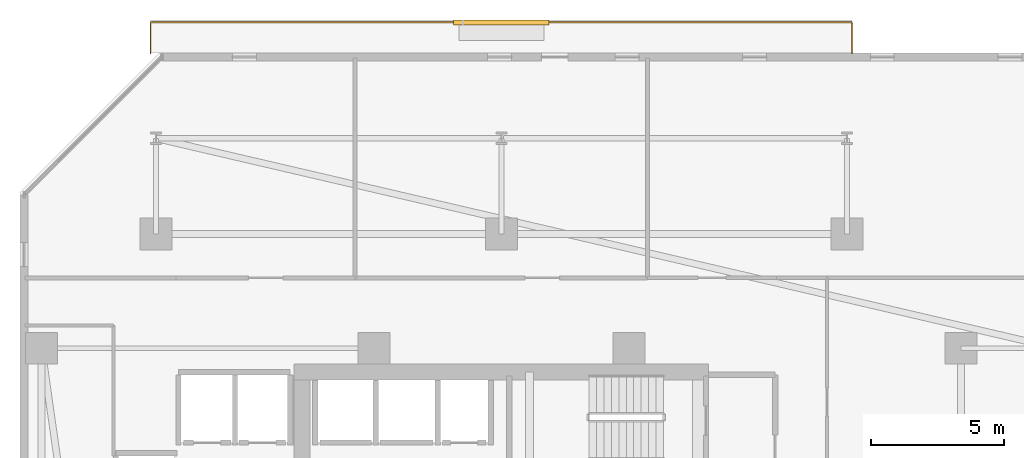
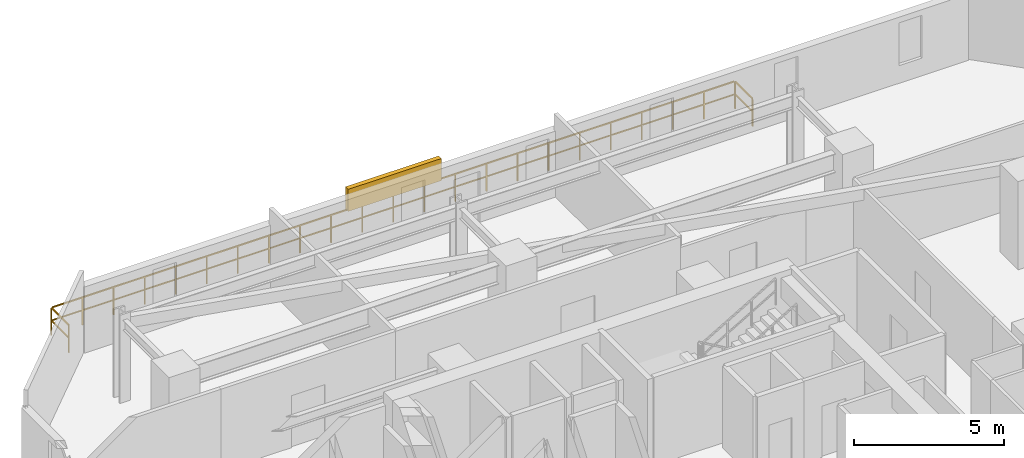
# One storey, part 29 of 31: 1 railing, 1 shading device.
"""IFC4 building model written with IfcOpenShell, lengths in metres."""

from ifc_helpers import new_model, si_unit, direction, frame, origin, origin_2d, place, context, subcontext, project, spatial, rectangle, extrude, material, type_object, element, save


model = new_model("IFC4")

# Units and contexts
model_context = context("Model", 3, precision=1e-05, world=origin(), true_north=direction((0.0, 1.0)))
body_context = subcontext(model_context, "Body", "Model", "MODEL_VIEW")
ifc_project = project(units=[si_unit("LENGTHUNIT", "METRE"), si_unit("AREAUNIT", "SQUARE_METRE"), si_unit("VOLUMEUNIT", "CUBIC_METRE"), si_unit("PLANEANGLEUNIT", "RADIAN"), si_unit("MASSUNIT", "GRAM", prefix="KILO")], contexts=[model_context])

# Site, building, storey
site_placement = place(None, origin())
site = spatial("IfcSite", under=ifc_project, at=site_placement, CompositionType="ELEMENT")
building_placement = place(site_placement, origin())
building = spatial("IfcBuilding", under=site, at=building_placement, Name="Thornwick Lancets Civic Towers", CompositionType="ELEMENT")
storey_placement = place(building_placement, frame((0.0, 0.0, 87.300048828125)))
storey = spatial("IfcBuildingStorey", under=building, at=storey_placement, Name="L22", CompositionType="ELEMENT", Elevation=87.300048828125)

# Railing
ifc_material_1 = material(Name="Terracotta-capped laminated glass balustrade S355", Category="masonry")
railing_type = type_object("IfcRailingType", Name="RAIL_TERR_GUARD", PredefinedType="GUARDRAIL", material=ifc_material_1)
railing_placement = place(storey_placement, frame((12.300048828125, 51.10009765625, 0.0)))
element("IfcRailing", 1, at=railing_placement, inside=storey, type_object=railing_type, Name="L22 Tower A Balcony Guard N", PredefinedType="GUARDRAIL", context=body_context, shape_type="SweptSolid", body=[
    extrude(rectangle(XDim=0.048095703125, YDim=0.048095703125, at=origin_2d()), frame((0.0, 0.0, 1.1259765625), z_axis=(0.0, 1.0, 0.0), x_axis=(-1.0, 0.0, 0.0)), (0.0, 0.0, 1.0), 1.138671875),
    extrude(rectangle(XDim=0.0419921875, YDim=0.0419921875, at=origin_2d()), frame((0.0, 0.03759765625, 0.597900390625), z_axis=(0.0, 1.0, 0.0), x_axis=(-1.0, 0.0, 0.0)), (0.0, 0.0, 1.0), 1.094970703125),
    extrude(rectangle(XDim=0.048095703125, YDim=0.048095703125, at=origin_2d()), frame((0.03125, 1.169921875, 1.1259765625), z_axis=(1.0, 0.0, 0.0), x_axis=(0.0, 1.0, 0.0)), (0.0, 0.0, 1.0), 26.33740234375),
    extrude(rectangle(XDim=0.0419921875, YDim=0.0419921875, at=origin_2d()), frame((0.03759765625, 1.169921875, 0.597900390625), z_axis=(1.0, 0.0, 0.0), x_axis=(0.0, 1.0, 0.0)), (0.0, 0.0, 1.0), 1.125),
    extrude(rectangle(XDim=0.0419921875, YDim=0.0419921875, at=origin_2d()), frame((1.237548828125, 1.169921875, 0.597900390625), z_axis=(1.0, 0.0, 0.0), x_axis=(0.0, 1.0, 0.0)), (0.0, 0.0, 1.0), 1.125),
    extrude(rectangle(XDim=0.0419921875, YDim=0.0419921875, at=origin_2d()), frame((2.4375, 1.169921875, 0.597900390625), z_axis=(1.0, 0.0, 0.0), x_axis=(0.0, 1.0, 0.0)), (0.0, 0.0, 1.0), 1.125),
    extrude(rectangle(XDim=0.0419921875, YDim=0.0419921875, at=origin_2d()), frame((3.637451171875, 1.169921875, 0.597900390625), z_axis=(1.0, 0.0, 0.0), x_axis=(0.0, 1.0, 0.0)), (0.0, 0.0, 1.0), 1.125),
    extrude(rectangle(XDim=0.0419921875, YDim=0.0419921875, at=origin_2d()), frame((4.83740234375, 1.169921875, 0.597900390625), z_axis=(1.0, 0.0, 0.0), x_axis=(0.0, 1.0, 0.0)), (0.0, 0.0, 1.0), 1.125),
    extrude(rectangle(XDim=0.0419921875, YDim=0.0419921875, at=origin_2d()), frame((6.037353515625, 1.169921875, 0.597900390625), z_axis=(1.0, 0.0, 0.0), x_axis=(0.0, 1.0, 0.0)), (0.0, 0.0, 1.0), 1.125),
    extrude(rectangle(XDim=0.0419921875, YDim=0.0419921875, at=origin_2d()), frame((7.237548828125, 1.169921875, 0.597900390625), z_axis=(1.0, 0.0, 0.0), x_axis=(0.0, 1.0, 0.0)), (0.0, 0.0, 1.0), 1.125),
    extrude(rectangle(XDim=0.0419921875, YDim=0.0419921875, at=origin_2d()), frame((8.4375, 1.169921875, 0.597900390625), z_axis=(1.0, 0.0, 0.0), x_axis=(0.0, 1.0, 0.0)), (0.0, 0.0, 1.0), 1.125),
    extrude(rectangle(XDim=0.0419921875, YDim=0.0419921875, at=origin_2d()), frame((9.637451171875, 1.169921875, 0.597900390625), z_axis=(1.0, 0.0, 0.0), x_axis=(0.0, 1.0, 0.0)), (0.0, 0.0, 1.0), 1.125),
    extrude(rectangle(XDim=0.0419921875, YDim=0.0419921875, at=origin_2d()), frame((10.83740234375, 1.169921875, 0.597900390625), z_axis=(1.0, 0.0, 0.0), x_axis=(0.0, 1.0, 0.0)), (0.0, 0.0, 1.0), 1.125),
    extrude(rectangle(XDim=0.0419921875, YDim=0.0419921875, at=origin_2d()), frame((12.037353515625, 1.169921875, 0.597900390625), z_axis=(1.0, 0.0, 0.0), x_axis=(0.0, 1.0, 0.0)), (0.0, 0.0, 1.0), 1.125),
    extrude(rectangle(XDim=0.0419921875, YDim=0.0419921875, at=origin_2d()), frame((13.237548828125, 1.169921875, 0.597900390625), z_axis=(1.0, 0.0, 0.0), x_axis=(0.0, 1.0, 0.0)), (0.0, 0.0, 1.0), 1.125),
    extrude(rectangle(XDim=0.0419921875, YDim=0.0419921875, at=origin_2d()), frame((14.4375, 1.169921875, 0.597900390625), z_axis=(1.0, 0.0, 0.0), x_axis=(0.0, 1.0, 0.0)), (0.0, 0.0, 1.0), 1.125),
    extrude(rectangle(XDim=0.0419921875, YDim=0.0419921875, at=origin_2d()), frame((15.637451171875, 1.169921875, 0.597900390625), z_axis=(1.0, 0.0, 0.0), x_axis=(0.0, 1.0, 0.0)), (0.0, 0.0, 1.0), 1.125),
    extrude(rectangle(XDim=0.0419921875, YDim=0.0419921875, at=origin_2d()), frame((16.83740234375, 1.169921875, 0.597900390625), z_axis=(1.0, 0.0, 0.0), x_axis=(0.0, 1.0, 0.0)), (0.0, 0.0, 1.0), 1.125),
    extrude(rectangle(XDim=0.0419921875, YDim=0.0419921875, at=origin_2d()), frame((18.037353515625, 1.169921875, 0.597900390625), z_axis=(1.0, 0.0, 0.0), x_axis=(0.0, 1.0, 0.0)), (0.0, 0.0, 1.0), 1.125),
    extrude(rectangle(XDim=0.0419921875, YDim=0.0419921875, at=origin_2d()), frame((19.2373046875, 1.169921875, 0.597900390625), z_axis=(1.0, 0.0, 0.0), x_axis=(0.0, 1.0, 0.0)), (0.0, 0.0, 1.0), 1.125),
    extrude(rectangle(XDim=0.0419921875, YDim=0.0419921875, at=origin_2d()), frame((20.4375, 1.169921875, 0.597900390625), z_axis=(1.0, 0.0, 0.0), x_axis=(0.0, 1.0, 0.0)), (0.0, 0.0, 1.0), 1.125),
    extrude(rectangle(XDim=0.0419921875, YDim=0.0419921875, at=origin_2d()), frame((21.637451171875, 1.169921875, 0.597900390625), z_axis=(1.0, 0.0, 0.0), x_axis=(0.0, 1.0, 0.0)), (0.0, 0.0, 1.0), 1.125),
    extrude(rectangle(XDim=0.0419921875, YDim=0.0419921875, at=origin_2d()), frame((22.83740234375, 1.169921875, 0.597900390625), z_axis=(1.0, 0.0, 0.0), x_axis=(0.0, 1.0, 0.0)), (0.0, 0.0, 1.0), 1.125),
    extrude(rectangle(XDim=0.0419921875, YDim=0.0419921875, at=origin_2d()), frame((24.037353515625, 1.169921875, 0.597900390625), z_axis=(1.0, 0.0, 0.0), x_axis=(0.0, 1.0, 0.0)), (0.0, 0.0, 1.0), 1.125),
    extrude(rectangle(XDim=0.0419921875, YDim=0.0419921875, at=origin_2d()), frame((25.2373046875, 1.169921875, 0.597900390625), z_axis=(1.0, 0.0, 0.0), x_axis=(0.0, 1.0, 0.0)), (0.0, 0.0, 1.0), 1.125),
    extrude(rectangle(XDim=0.048095703125, YDim=0.048095703125, at=origin_2d()), frame((26.39990234375, 1.138671875, 1.1259765625), z_axis=(0.0, -1.0, 0.0), x_axis=(1.0, 0.0, 0.0)), (0.0, 0.0, 1.0), 1.138671875),
    extrude(rectangle(XDim=0.0419921875, YDim=0.0419921875, at=origin_2d()), frame((26.39990234375, 1.13232421875, 0.597900390625), z_axis=(0.0, -1.0, 0.0), x_axis=(1.0, 0.0, 0.0)), (0.0, 0.0, 1.0), 1.094970703125),
    extrude(rectangle(XDim=0.0419921875, YDim=0.0419921875, at=origin_2d()), origin(), (0.0, 0.0, 1.0), 1.095703125),
    extrude(rectangle(XDim=0.0419921875, YDim=0.0419921875, at=origin_2d()), frame((0.0, 1.169921875, 0.0)), (0.0, 0.0, 1.0), 1.095703125),
    extrude(rectangle(XDim=0.0419921875, YDim=0.0419921875, at=origin_2d()), frame((1.199951171875, 1.169921875, 0.0)), (0.0, 0.0, 1.0), 1.095703125),
    extrude(rectangle(XDim=0.0419921875, YDim=0.0419921875, at=origin_2d()), frame((2.39990234375, 1.169921875, 0.0)), (0.0, 0.0, 1.0), 1.095703125),
    extrude(rectangle(XDim=0.0419921875, YDim=0.0419921875, at=origin_2d()), frame((3.60009765625, 1.169921875, 0.0)), (0.0, 0.0, 1.0), 1.095703125),
    extrude(rectangle(XDim=0.0419921875, YDim=0.0419921875, at=origin_2d()), frame((4.800048828125, 1.169921875, 0.0)), (0.0, 0.0, 1.0), 1.095703125),
    extrude(rectangle(XDim=0.0419921875, YDim=0.0419921875, at=origin_2d()), frame((6.0, 1.169921875, 0.0)), (0.0, 0.0, 1.0), 1.095703125),
    extrude(rectangle(XDim=0.0419921875, YDim=0.0419921875, at=origin_2d()), frame((7.199951171875, 1.169921875, 0.0)), (0.0, 0.0, 1.0), 1.095703125),
    extrude(rectangle(XDim=0.0419921875, YDim=0.0419921875, at=origin_2d()), frame((8.39990234375, 1.169921875, 0.0)), (0.0, 0.0, 1.0), 1.095703125),
    extrude(rectangle(XDim=0.0419921875, YDim=0.0419921875, at=origin_2d()), frame((9.599853515625, 1.169921875, 0.0)), (0.0, 0.0, 1.0), 1.095703125),
    extrude(rectangle(XDim=0.0419921875, YDim=0.0419921875, at=origin_2d()), frame((10.800048828125, 1.169921875, 0.0)), (0.0, 0.0, 1.0), 1.095703125),
    extrude(rectangle(XDim=0.0419921875, YDim=0.0419921875, at=origin_2d()), frame((12.0, 1.169921875, 0.0)), (0.0, 0.0, 1.0), 1.095703125),
    extrude(rectangle(XDim=0.0419921875, YDim=0.0419921875, at=origin_2d()), frame((13.199951171875, 1.169921875, 0.0)), (0.0, 0.0, 1.0), 1.095703125),
    extrude(rectangle(XDim=0.0419921875, YDim=0.0419921875, at=origin_2d()), frame((14.39990234375, 1.169921875, 0.0)), (0.0, 0.0, 1.0), 1.095703125),
    extrude(rectangle(XDim=0.0419921875, YDim=0.0419921875, at=origin_2d()), frame((15.599853515625, 1.169921875, 0.0)), (0.0, 0.0, 1.0), 1.095703125),
    extrude(rectangle(XDim=0.0419921875, YDim=0.0419921875, at=origin_2d()), frame((16.800048828125, 1.169921875, 0.0)), (0.0, 0.0, 1.0), 1.095703125),
    extrude(rectangle(XDim=0.0419921875, YDim=0.0419921875, at=origin_2d()), frame((18.0, 1.169921875, 0.0)), (0.0, 0.0, 1.0), 1.095703125),
    extrude(rectangle(XDim=0.0419921875, YDim=0.0419921875, at=origin_2d()), frame((19.199951171875, 1.169921875, 0.0)), (0.0, 0.0, 1.0), 1.095703125),
    extrude(rectangle(XDim=0.0419921875, YDim=0.0419921875, at=origin_2d()), frame((20.39990234375, 1.169921875, 0.0)), (0.0, 0.0, 1.0), 1.095703125),
    extrude(rectangle(XDim=0.0419921875, YDim=0.0419921875, at=origin_2d()), frame((21.599853515625, 1.169921875, 0.0)), (0.0, 0.0, 1.0), 1.095703125),
    extrude(rectangle(XDim=0.0419921875, YDim=0.0419921875, at=origin_2d()), frame((22.7998046875, 1.169921875, 0.0)), (0.0, 0.0, 1.0), 1.095703125),
    extrude(rectangle(XDim=0.0419921875, YDim=0.0419921875, at=origin_2d()), frame((24.0, 1.169921875, 0.0)), (0.0, 0.0, 1.0), 1.095703125),
    extrude(rectangle(XDim=0.0419921875, YDim=0.0419921875, at=origin_2d()), frame((25.199951171875, 1.169921875, 0.0)), (0.0, 0.0, 1.0), 1.095703125),
    extrude(rectangle(XDim=0.0419921875, YDim=0.0419921875, at=origin_2d()), frame((26.39990234375, 1.169921875, 0.0)), (0.0, 0.0, 1.0), 1.095703125),
    extrude(rectangle(XDim=0.0419921875, YDim=0.0419921875, at=origin_2d()), frame((26.39990234375, 0.0, 0.0)), (0.0, 0.0, 1.0), 1.095703125),
])

# Shading device
ifc_material_2 = material(Name="Extruded terracotta baguette solar screen", Category="masonry")
shading_device_type = type_object("IfcShadingDeviceType", Name="SHADE_BAGUETTE", PredefinedType="JALOUSIE", material=ifc_material_2)
shading_device_placement = place(storey_placement, frame((25.5, 52.260009765625, 1.1201171875), z_axis=(0.0, 0.0, 1.0), x_axis=(1.0, 0.0, 0.0)))
element("IfcShadingDevice", 2, at=shading_device_placement, inside=storey, type_object=shading_device_type, Name="L22 Tower A Terracotta Baguette Screen N", PredefinedType="JALOUSIE", context=body_context, shape_type="SweptSolid", body=[
    extrude(rectangle(XDim=3.60009765625, YDim=0.179931640625, at=origin_2d()), origin(), (0.0, 0.0, 1.0), 0.89990234375),
])

save(model, "model.ifc")
